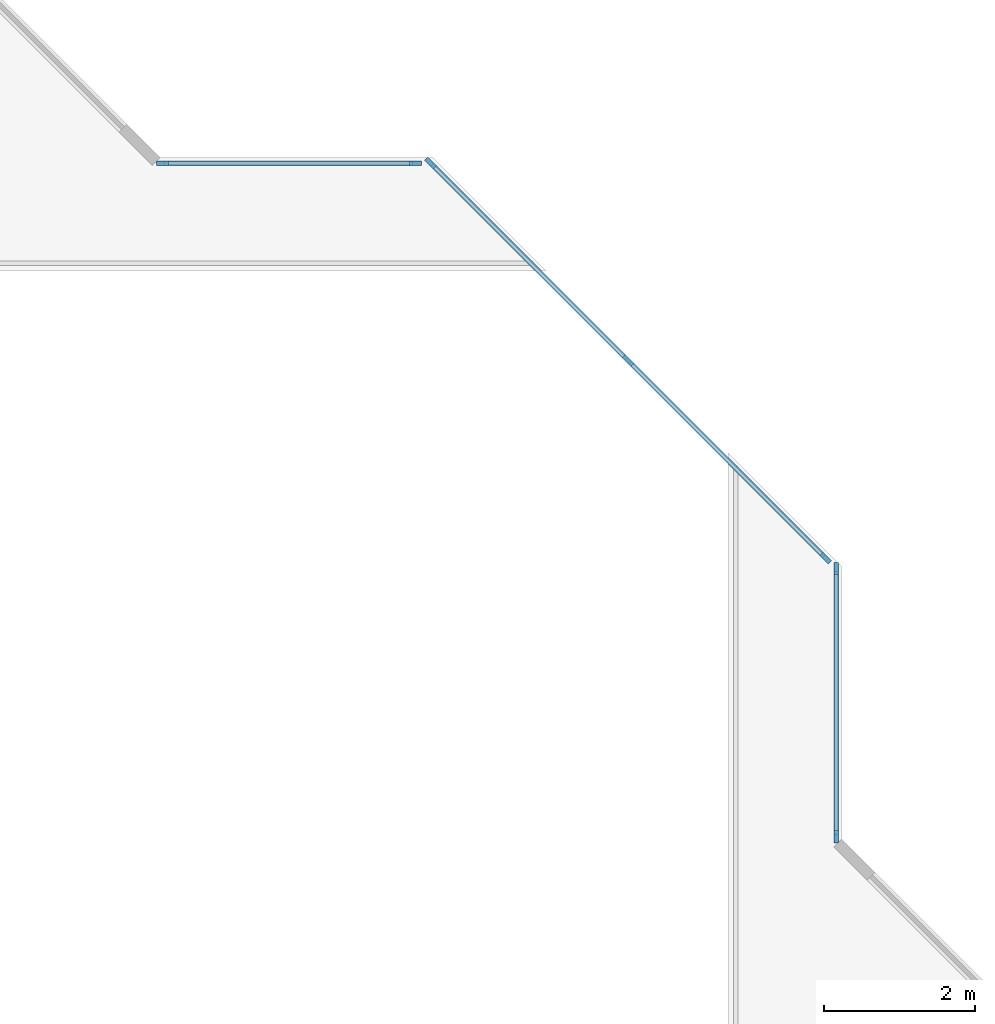
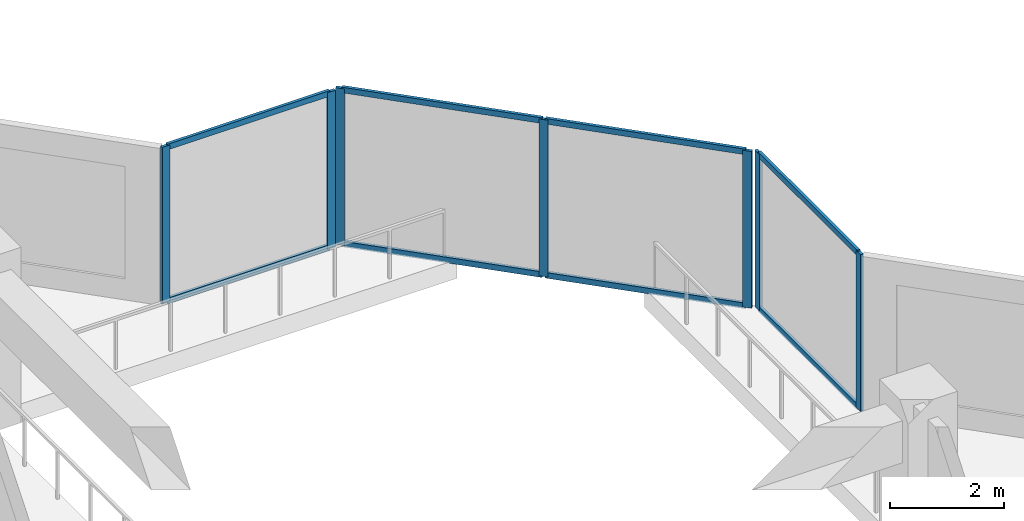
# One storey, part 2 of 15: 15 members, 3 elements without a shape of their own.
"""IFC4 building model written with IfcOpenShell, lengths in metres."""

from ifc_helpers import new_model, si_unit, direction, frame, origin, origin_2d, place, context, subcontext, project, spatial, rectangle, extrude, material, layer, layer_set, material_profile, profile_set, type_object, element, aggregate, save


model = new_model("IFC4")

# Units and contexts
model_context = context("Model", 3, precision=1e-05, world=origin(), true_north=direction((0.0, 1.0)))
body_context = subcontext(model_context, "Body", "Model", "MODEL_VIEW")
ifc_project = project(units=[si_unit("LENGTHUNIT", "METRE"), si_unit("AREAUNIT", "SQUARE_METRE"), si_unit("VOLUMEUNIT", "CUBIC_METRE"), si_unit("PLANEANGLEUNIT", "RADIAN"), si_unit("MASSUNIT", "GRAM", prefix="KILO")], contexts=[model_context])

# Site, building, storey
site_placement = place(None, origin())
site = spatial("IfcSite", under=ifc_project, at=site_placement, CompositionType="ELEMENT")
building_placement = place(site_placement, origin())
building = spatial("IfcBuilding", under=site, at=building_placement, Name="Chenar Terraces", CompositionType="ELEMENT")
storey_placement = place(building_placement, frame((0.0, 0.0, 95.64990234375)))
storey = spatial("IfcBuildingStorey", under=building, at=storey_placement, Name="L21", CompositionType="ELEMENT", Elevation=95.64990234375)

# Curtain wall, members
ifc_material_1 = material(Name="Aluminium framed glazing", Category="aluminium")
ifc_layer = layer(ifc_material_1, 0.14990234375)
ifc_layer_set = layer_set([ifc_layer], Name="Aluminium framed glazing")
curtain_wall_type = type_object("IfcCurtainWallType", Name="Atrium curtain wall", PredefinedType="NOTDEFINED", material=ifc_layer_set)
placement = place(storey_placement, origin())
curtain_wall_1 = element("IfcCurtainWall", 1, at=placement, inside=storey, type_object=curtain_wall_type, Name="Atrium curtain wall", PredefinedType="NOTDEFINED")
ifc_material_2 = material(Name="Aluminium", Category="aluminium")
ifc_material_profile_1 = material_profile(ifc_material_2, rectangle(XDim=0.06005859375, YDim=0.159912109375, at=origin_2d()), Name="Atrium glazing mullion 60 x 160")
ifc_profile_set_1 = profile_set([ifc_material_profile_1], Name="Aluminium")
member_type_1 = type_object("IfcMemberType", Name="Atrium glazing mullion 60 x 160", PredefinedType="MULLION", material=ifc_profile_set_1)
member_1_placement = place(storey_placement, frame((37.425048828125, 28.530029296875, 0.0), z_axis=(0.0, 0.0, 1.0), x_axis=(-1.0, 0.0, 0.0)))
member_1 = element("IfcMember", 2, at=member_1_placement, type_object=member_type_1, Name="CW1-1 mullion 1", PredefinedType="MULLION", context=body_context, shape_type="SweptSolid", body=[
    extrude(rectangle(XDim=0.06005859375, YDim=0.159912109375, at=origin_2d()), origin(), (0.0, 0.0, 1.0), 3.35009765625),
])
member_2_placement = place(storey_placement, frame((37.425048828125, 32.070068359375, 0.0), z_axis=(0.0, 0.0, 1.0), x_axis=(-1.0, 0.0, 0.0)))
member_2 = element("IfcMember", 3, at=member_2_placement, type_object=member_type_1, Name="CW1-1 mullion 2", PredefinedType="MULLION", context=body_context, shape_type="SweptSolid", body=[
    extrude(rectangle(XDim=0.06005859375, YDim=0.159912109375, at=origin_2d()), origin(), (0.0, 0.0, 1.0), 3.35009765625),
])

curtain_wall_2 = element("IfcCurtainWall", 4, at=placement, inside=storey, type_object=curtain_wall_type, Name="Atrium curtain wall", PredefinedType="NOTDEFINED")
member_3_placement = place(storey_placement, frame((37.284423828125, 32.209716796875, 0.0), z_axis=(0.0, 0.0, 1.0), x_axis=(-0.707106781187, -0.707106781187, 0.0)))
member_3 = element("IfcMember", 5, at=member_3_placement, type_object=member_type_1, Name="CW1-2 mullion 1", PredefinedType="MULLION", context=body_context, shape_type="SweptSolid", body=[
    extrude(rectangle(XDim=0.06005859375, YDim=0.159912109375, at=origin_2d()), origin(), (0.0, 0.0, 1.0), 3.35009765625),
])
member_4_placement = place(storey_placement, frame((34.67626953125, 34.817626953125, 0.0), z_axis=(0.0, 0.0, 1.0), x_axis=(-0.707106781187, -0.707106781187, 0.0)))
member_4 = element("IfcMember", 6, at=member_4_placement, type_object=member_type_1, Name="CW1-2 mullion 2", PredefinedType="MULLION", context=body_context, shape_type="SweptSolid", body=[
    extrude(rectangle(XDim=0.06005859375, YDim=0.159912109375, at=origin_2d()), origin(), (0.0, 0.0, 1.0), 3.35009765625),
])
member_5_placement = place(storey_placement, frame((32.068115234375, 37.42578125, 0.0), z_axis=(0.0, 0.0, 1.0), x_axis=(-0.707106781187, -0.707106781187, 0.0)))
member_5 = element("IfcMember", 7, at=member_5_placement, type_object=member_type_1, Name="CW1-2 mullion 3", PredefinedType="MULLION", context=body_context, shape_type="SweptSolid", body=[
    extrude(rectangle(XDim=0.06005859375, YDim=0.159912109375, at=origin_2d()), origin(), (0.0, 0.0, 1.0), 3.35009765625),
])

curtain_wall_3 = element("IfcCurtainWall", 8, at=placement, inside=storey, type_object=curtain_wall_type, Name="Atrium curtain wall", PredefinedType="NOTDEFINED")
member_6_placement = place(storey_placement, frame((31.8701171875, 37.425048828125, 0.0), z_axis=(0.0, 0.0, 1.0), x_axis=(0.0, -1.0, 0.0)))
member_6 = element("IfcMember", 9, at=member_6_placement, type_object=member_type_1, Name="CW1-3 mullion 1", PredefinedType="MULLION", context=body_context, shape_type="SweptSolid", body=[
    extrude(rectangle(XDim=0.06005859375, YDim=0.159912109375, at=origin_2d()), origin(), (0.0, 0.0, 1.0), 3.35009765625),
])
member_7_placement = place(storey_placement, frame((28.530029296875, 37.425048828125, 0.0), z_axis=(0.0, 0.0, 1.0), x_axis=(0.0, -1.0, 0.0)))
member_7 = element("IfcMember", 10, at=member_7_placement, type_object=member_type_1, Name="CW1-3 mullion 2", PredefinedType="MULLION", context=body_context, shape_type="SweptSolid", body=[
    extrude(rectangle(XDim=0.06005859375, YDim=0.159912109375, at=origin_2d()), origin(), (0.0, 0.0, 1.0), 3.35009765625),
])

# Member
ifc_material_3 = material(Name="Aluminium", Category="aluminium")
ifc_material_profile_2 = material_profile(ifc_material_3, rectangle(XDim=0.06005859375, YDim=0.1201171875, at=origin_2d()), Name="Atrium glazing transom 60 x 120")
ifc_profile_set_2 = profile_set([ifc_material_profile_2], Name="Aluminium")
member_type_2 = type_object("IfcMemberType", Name="Atrium glazing transom 60 x 120", PredefinedType="USERDEFINED", material=ifc_profile_set_2)
member_8_placement = place(storey_placement, frame((37.425048828125, 28.56005859375, 0.030029296875), z_axis=(0.0, 1.0, 0.0), x_axis=(-1.0, 0.0, 0.0)))
member_8 = element("IfcMember", 11, at=member_8_placement, type_object=member_type_2, Name="CW1-1 transom 1.1", ObjectType="TRANSOM", PredefinedType="USERDEFINED", context=body_context, shape_type="SweptSolid", body=[
    extrude(rectangle(XDim=0.06005859375, YDim=0.1201171875, at=origin_2d()), origin(), (0.0, 0.0, 1.0), 3.47998046875),
])

member_9_placement = place(storey_placement, frame((37.425048828125, 28.56005859375, 3.320068359375), z_axis=(0.0, 1.0, 0.0), x_axis=(-1.0, 0.0, 0.0)))
member_9 = element("IfcMember", 12, at=member_9_placement, type_object=member_type_2, Name="CW1-1 transom 1.2", ObjectType="TRANSOM", PredefinedType="USERDEFINED", context=body_context, shape_type="SweptSolid", body=[
    extrude(rectangle(XDim=0.06005859375, YDim=0.1201171875, at=origin_2d()), origin(), (0.0, 0.0, 1.0), 3.47998046875),
])

aggregate(curtain_wall_1, [member_1, member_2, member_8, member_9])

member_10_placement = place(storey_placement, frame((37.26318359375, 32.230712890625, 0.030029296875), z_axis=(-0.707106781187, 0.707106781187, 0.0), x_axis=(-0.707106781187, -0.707106781187, 0.0)))
member_10 = element("IfcMember", 13, at=member_10_placement, type_object=member_type_2, Name="CW1-2 transom 1.1", ObjectType="TRANSOM", PredefinedType="USERDEFINED", context=body_context, shape_type="SweptSolid", body=[
    extrude(rectangle(XDim=0.06005859375, YDim=0.1201171875, at=origin_2d()), origin(), (0.0, 0.0, 1.0), 3.62841796875),
])

member_11_placement = place(storey_placement, frame((37.26318359375, 32.230712890625, 3.320068359375), z_axis=(-0.707106781187, 0.707106781187, 0.0), x_axis=(-0.707106781187, -0.707106781187, 0.0)))
member_11 = element("IfcMember", 14, at=member_11_placement, type_object=member_type_2, Name="CW1-2 transom 1.2", ObjectType="TRANSOM", PredefinedType="USERDEFINED", context=body_context, shape_type="SweptSolid", body=[
    extrude(rectangle(XDim=0.06005859375, YDim=0.1201171875, at=origin_2d()), origin(), (0.0, 0.0, 1.0), 3.62841796875),
])

member_12_placement = place(storey_placement, frame((34.655029296875, 34.8388671875, 0.030029296875), z_axis=(-0.707106781187, 0.707106781187, 0.0), x_axis=(-0.707106781187, -0.707106781187, 0.0)))
member_12 = element("IfcMember", 15, at=member_12_placement, type_object=member_type_2, Name="CW1-2 transom 2.1", ObjectType="TRANSOM", PredefinedType="USERDEFINED", context=body_context, shape_type="SweptSolid", body=[
    extrude(rectangle(XDim=0.06005859375, YDim=0.1201171875, at=origin_2d()), origin(), (0.0, 0.0, 1.0), 3.62841796875),
])

member_13_placement = place(storey_placement, frame((34.655029296875, 34.8388671875, 3.320068359375), z_axis=(-0.707106781187, 0.707106781187, 0.0), x_axis=(-0.707106781187, -0.707106781187, 0.0)))
member_13 = element("IfcMember", 16, at=member_13_placement, type_object=member_type_2, Name="CW1-2 transom 2.2", ObjectType="TRANSOM", PredefinedType="USERDEFINED", context=body_context, shape_type="SweptSolid", body=[
    extrude(rectangle(XDim=0.06005859375, YDim=0.1201171875, at=origin_2d()), origin(), (0.0, 0.0, 1.0), 3.62841796875),
])

aggregate(curtain_wall_2, [member_3, member_4, member_5, member_10, member_11, member_12, member_13])

member_14_placement = place(storey_placement, frame((31.840087890625, 37.425048828125, 0.030029296875), z_axis=(-1.0, 0.0, 0.0), x_axis=(0.0, -1.0, 0.0)))
member_14 = element("IfcMember", 17, at=member_14_placement, type_object=member_type_2, Name="CW1-3 transom 1.1", ObjectType="TRANSOM", PredefinedType="USERDEFINED", context=body_context, shape_type="SweptSolid", body=[
    extrude(rectangle(XDim=0.06005859375, YDim=0.1201171875, at=origin_2d()), origin(), (0.0, 0.0, 1.0), 3.280029296875),
])

member_15_placement = place(storey_placement, frame((31.840087890625, 37.425048828125, 3.320068359375), z_axis=(-1.0, 0.0, 0.0), x_axis=(0.0, -1.0, 0.0)))
member_15 = element("IfcMember", 18, at=member_15_placement, type_object=member_type_2, Name="CW1-3 transom 1.2", ObjectType="TRANSOM", PredefinedType="USERDEFINED", context=body_context, shape_type="SweptSolid", body=[
    extrude(rectangle(XDim=0.06005859375, YDim=0.1201171875, at=origin_2d()), origin(), (0.0, 0.0, 1.0), 3.280029296875),
])

aggregate(curtain_wall_3, [member_6, member_7, member_14, member_15])

save(model, "model.ifc")
